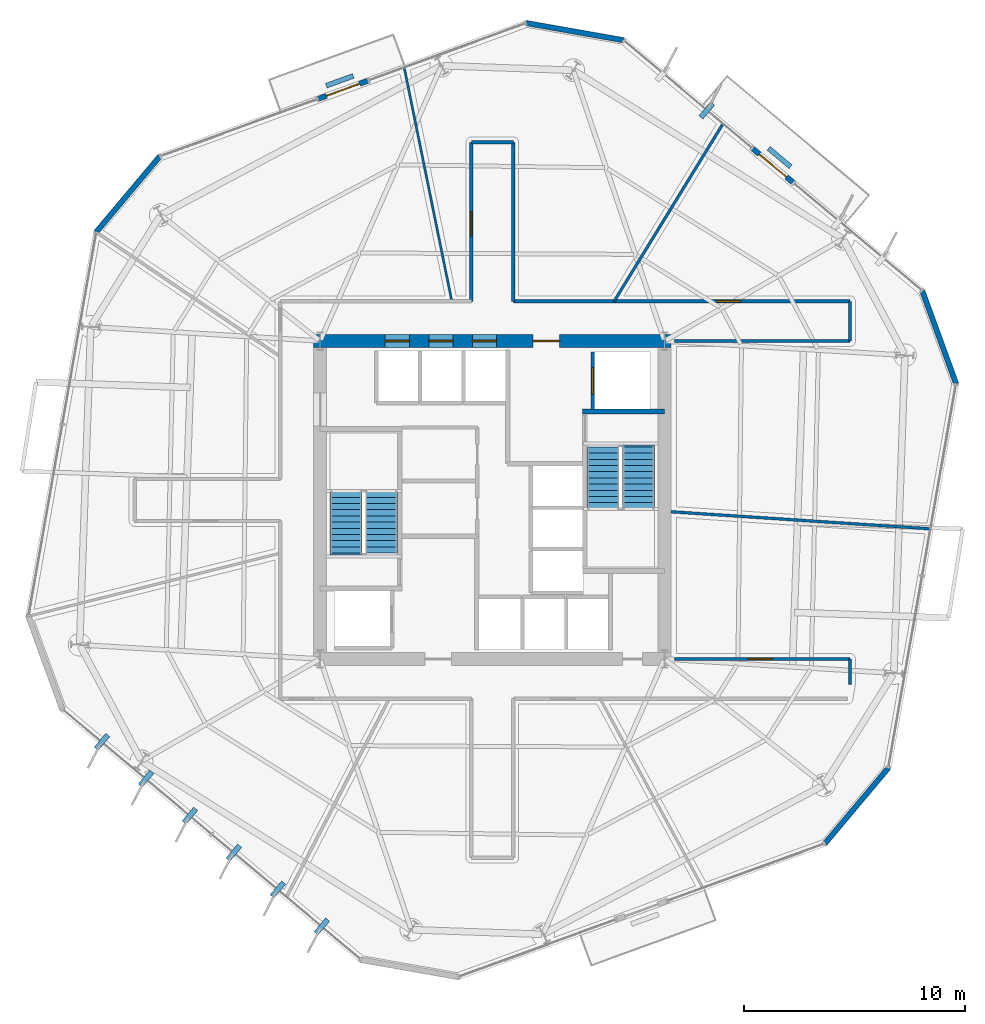
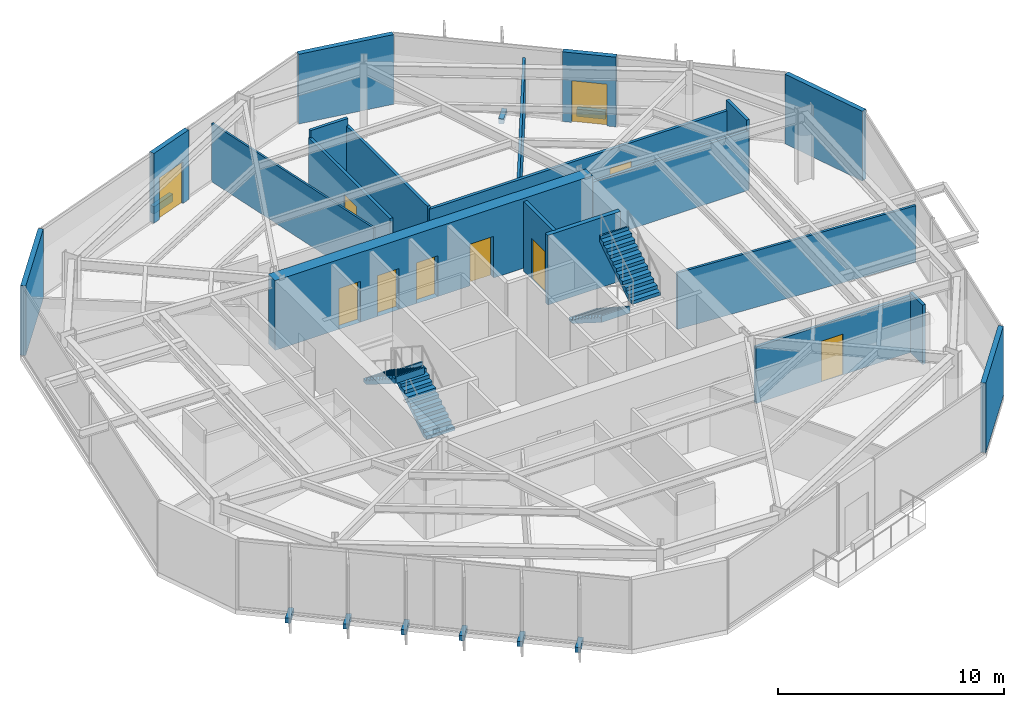
# One storey, part 8 of 13: 22 walls, 10 doors, 7 discrete accessories, 4 stair flights, 10 openings, 2 elements without a shape of their own.
"""IFC4 building model written with IfcOpenShell, lengths in metres."""

from ifc_helpers import new_model, si_unit, direction, frame, frame_2d, origin, origin_2d, place, context, subcontext, project, spatial, polyline, rectangle, outline, extrude, material, layer, layer_set, type_object, element, fill, aggregate, save


model = new_model("IFC4")

# Units and contexts
model_context = context("Model", 3, precision=1e-05, world=origin(), true_north=direction((0.0, 1.0)))
body_context = subcontext(model_context, "Body", "Model", "MODEL_VIEW")
ifc_project = project(units=[si_unit("LENGTHUNIT", "METRE"), si_unit("AREAUNIT", "SQUARE_METRE"), si_unit("VOLUMEUNIT", "CUBIC_METRE"), si_unit("PLANEANGLEUNIT", "RADIAN"), si_unit("MASSUNIT", "GRAM", prefix="KILO")], contexts=[model_context])

# Site, building, storey
site_placement = place(None, origin())
site = spatial("IfcSite", under=ifc_project, at=site_placement, CompositionType="ELEMENT")
building_placement = place(site_placement, origin())
building = spatial("IfcBuilding", under=site, at=building_placement, Name="Kranzbogen Civic Tower", CompositionType="ELEMENT")
storey_placement = place(building_placement, frame((0.0, 0.0, 102.39990234375)))
storey = spatial("IfcBuildingStorey", under=building, at=storey_placement, Name="L24", CompositionType="ELEMENT", Elevation=102.39990234375)

# Wall, opening, door
ifc_material_1 = material(Name="Double-Stud Acoustic Gypsum Partition")
ifc_layer_1 = layer(ifc_material_1, 0.14990234375, Name="Double-Stud Acoustic Gypsum Partition")
ifc_layer_set_1 = layer_set([ifc_layer_1], Name="Double-Stud Acoustic Gypsum Partition")
wall_type_1 = type_object("IfcWallType", Name="Acoustic Corridor and Clinical Partition 150 mm", PredefinedType="PARTITIONING", material=ifc_layer_set_1)
wall_1_placement = place(storey_placement, frame((24.050048828125, 34.0, 0.0), z_axis=(0.0, 0.0, 1.0), x_axis=(0.0, 1.0, 0.0)))
wall_1 = element("IfcWall", 1, at=wall_1_placement, inside=storey, type_object=wall_type_1, Name="L24 corridor partition 11", PredefinedType="PARTITIONING", context=body_context, shape_type="SweptSolid", body=[
    extrude(rectangle(XDim=7.199951171875, YDim=0.14990234375, at=frame_2d((3.60009765625, 0.0))), origin(), (0.0, 0.0, 1.0), 3.360107421875),
])
opening_1_placement = place(wall_1_placement, frame((2.9619140625, 0.0, 0.0)))
opening_1 = element("IfcOpeningElement", 2, at=opening_1_placement, cuts=wall_1, Name="Opening D-COR60", PredefinedType="OPENING", context=body_context, shape_type="SweptSolid", body=[
    extrude(rectangle(XDim=1.10009765625, YDim=2.199951171875, at=frame_2d((0.550048828125, 1.10009765625))), frame((0.0, 0.0849609375, 0.0), z_axis=(0.0, -1.0, 0.0), x_axis=(1.0, 0.0, 0.0)), (0.0, 0.0, 1.0), 0.169921875),
])
ifc_material_2 = material(Name="Oak Timber and Fire Core", Category="wood")
door_type_1 = type_object("IfcDoorType", Name="Corridor Acoustic Fire Door 1100x2200", OperationType="NOTDEFINED", PredefinedType="DOOR", material=ifc_material_2)
door_1_placement = place(opening_1_placement, origin())
door_1 = element("IfcDoor", 3, at=door_1_placement, inside=storey, type_object=door_type_1, Name="L24 Urban Design Workshop door", OperationType="SINGLE_SWING_LEFT", OverallHeight=2.199951171875, OverallWidth=1.10009765625, PredefinedType="DOOR", context=body_context, shape_type="SweptSolid", body=[
    extrude(rectangle(XDim=1.10009765625, YDim=2.199951171875, at=frame_2d((0.550048828125, 1.10009765625))), frame((0.0, 0.02490234375, 0.0), z_axis=(0.0, -1.0, 0.0), x_axis=(1.0, 0.0, 0.0)), (0.0, 0.0, 1.0), 0.050048828125),
])
fill(opening_1, door_1)

# Walls
wall_2_placement = place(storey_placement, frame((24.050048828125, 41.199951171875, 0.0), z_axis=(0.0, 0.0, 1.0), x_axis=(1.0, 0.0, 0.0)))
element("IfcWall", 4, at=wall_2_placement, inside=storey, type_object=wall_type_1, Name="L24 corridor partition 12", PredefinedType="PARTITIONING", context=body_context, shape_type="SweptSolid", body=[
    extrude(rectangle(XDim=1.89990234375, YDim=0.14990234375, at=frame_2d((0.949951171875, 0.0))), origin(), (0.0, 0.0, 1.0), 3.760009765625),
])
wall_3_placement = place(storey_placement, frame((25.949951171875, 41.199951171875, 0.0), z_axis=(0.0, 0.0, 1.0), x_axis=(0.0, -1.0, 0.0)))
element("IfcWall", 5, at=wall_3_placement, inside=storey, type_object=wall_type_1, Name="L24 corridor partition 13", PredefinedType="PARTITIONING", context=body_context, shape_type="SweptSolid", body=[
    extrude(rectangle(XDim=7.199951171875, YDim=0.14990234375, at=frame_2d((3.60009765625, 0.0))), origin(), (0.0, 0.0, 1.0), 3.360107421875),
])

# Wall, opening, door
wall_4_placement = place(storey_placement, frame((25.949951171875, 34.0, 0.0), z_axis=(0.0, 0.0, 1.0), x_axis=(1.0, 0.0, 0.0)))
wall_4 = element("IfcWall", 6, at=wall_4_placement, inside=storey, type_object=wall_type_1, Name="L24 corridor partition 14", PredefinedType="PARTITIONING", context=body_context, shape_type="SweptSolid", body=[
    extrude(rectangle(XDim=15.25, YDim=0.14990234375, at=frame_2d((7.625, 0.0))), origin(), (0.0, 0.0, 1.0), 3.210205078125),
])
opening_2_placement = place(wall_4_placement, frame((9.200927734375, 0.0, 0.0)))
opening_2 = element("IfcOpeningElement", 7, at=opening_2_placement, cuts=wall_4, Name="Opening D-COR60", PredefinedType="OPENING", context=body_context, shape_type="SweptSolid", body=[
    extrude(rectangle(XDim=1.10009765625, YDim=2.199951171875, at=frame_2d((0.550048828125, 1.10009765625))), frame((0.0, 0.0849609375, 0.0), z_axis=(0.0, -1.0, 0.0), x_axis=(1.0, 0.0, 0.0)), (0.0, 0.0, 1.0), 0.169921875),
])
door_2_placement = place(opening_2_placement, origin())
door_2 = element("IfcDoor", 8, at=door_2_placement, inside=storey, type_object=door_type_1, Name="L24 Policy Seminar Room door", OperationType="SINGLE_SWING_LEFT", OverallHeight=2.199951171875, OverallWidth=1.10009765625, PredefinedType="DOOR", context=body_context, shape_type="SweptSolid", body=[
    extrude(rectangle(XDim=1.10009765625, YDim=2.199951171875, at=frame_2d((0.550048828125, 1.10009765625))), frame((0.0, 0.02490234375, 0.0), z_axis=(0.0, -1.0, 0.0), x_axis=(1.0, 0.0, 0.0)), (0.0, 0.0, 1.0), 0.050048828125),
])
fill(opening_2, door_2)

# Walls
wall_5_placement = place(storey_placement, frame((41.199951171875, 34.0, 0.0), z_axis=(0.0, 0.0, 1.0), x_axis=(0.0, -1.0, 0.0)))
element("IfcWall", 9, at=wall_5_placement, inside=storey, type_object=wall_type_1, Name="L24 corridor partition 15", PredefinedType="PARTITIONING", context=body_context, shape_type="SweptSolid", body=[
    extrude(rectangle(XDim=1.800048828125, YDim=0.14990234375, at=frame_2d((0.89990234375, 0.0))), origin(), (0.0, 0.0, 1.0), 3.760009765625),
])
wall_6_placement = place(storey_placement, frame((41.199951171875, 32.199951171875, 0.0), z_axis=(0.0, 0.0, 1.0), x_axis=(-1.0, 0.0, 0.0)))
element("IfcWall", 10, at=wall_6_placement, inside=storey, type_object=wall_type_1, Name="L24 corridor partition 16", PredefinedType="PARTITIONING", context=body_context, shape_type="SweptSolid", body=[
    extrude(rectangle(XDim=7.952880859375, YDim=0.14990234375, at=frame_2d((3.9765625, 0.0))), origin(), (0.0, 0.0, 1.0), 3.210205078125),
])

# Wall, opening, door
wall_7_placement = place(storey_placement, frame((33.2470703125, 17.800048828125, 0.0), z_axis=(0.0, 0.0, 1.0), x_axis=(1.0, 0.0, 0.0)))
wall_7 = element("IfcWall", 11, at=wall_7_placement, inside=storey, type_object=wall_type_1, Name="L24 corridor partition 17", PredefinedType="PARTITIONING", context=body_context, shape_type="SweptSolid", body=[
    extrude(rectangle(XDim=7.952880859375, YDim=0.14990234375, at=frame_2d((3.9765625, 0.0))), origin(), (0.0, 0.0, 1.0), 3.050048828125),
])
opening_3_placement = place(wall_7_placement, frame((3.337890625, 0.0, 0.0)))
opening_3 = element("IfcOpeningElement", 12, at=opening_3_placement, cuts=wall_7, Name="Opening D-COR60", PredefinedType="OPENING", context=body_context, shape_type="SweptSolid", body=[
    extrude(rectangle(XDim=1.10009765625, YDim=2.199951171875, at=frame_2d((0.550048828125, 1.10009765625))), frame((0.0, 0.0849609375, 0.0), z_axis=(0.0, -1.0, 0.0), x_axis=(1.0, 0.0, 0.0)), (0.0, 0.0, 1.0), 0.169921875),
])
door_3_placement = place(opening_3_placement, origin())
door_3 = element("IfcDoor", 13, at=door_3_placement, inside=storey, type_object=door_type_1, Name="L24 Civic Reference Library door", OperationType="SINGLE_SWING_RIGHT", OverallHeight=2.199951171875, OverallWidth=1.10009765625, PredefinedType="DOOR", context=body_context, shape_type="SweptSolid", body=[
    extrude(rectangle(XDim=1.10009765625, YDim=2.199951171875, at=frame_2d((0.550048828125, 1.10009765625))), frame((0.0, 0.02490234375, 0.0), z_axis=(0.0, -1.0, 0.0), x_axis=(1.0, 0.0, 0.0)), (0.0, 0.0, 1.0), 0.050048828125),
])
fill(opening_3, door_3)

# Walls
wall_8_placement = place(storey_placement, frame((41.199951171875, 17.800048828125, 0.0), z_axis=(0.0, 0.0, 1.0), x_axis=(0.0, -1.0, 0.0)))
element("IfcWall", 14, at=wall_8_placement, inside=storey, type_object=wall_type_1, Name="L24 corridor partition 18", PredefinedType="PARTITIONING", context=body_context, shape_type="SweptSolid", body=[
    extrude(rectangle(XDim=1.157958984375, YDim=0.14990234375, at=frame_2d((0.5791015625, 0.0))), origin(), (0.0, 0.0, 1.0), 3.210205078125),
])
ifc_material_3 = material(Name="Insulated Metal-Stud Gypsum Partition")
ifc_layer_2 = layer(ifc_material_3, 0.125, Name="Insulated Metal-Stud Gypsum Partition")
ifc_layer_set_2 = layer_set([ifc_layer_2], Name="Insulated Metal-Stud Gypsum Partition")
wall_type_2 = type_object("IfcWallType", Name="Acoustic Inter-Room Partition 125 mm", PredefinedType="PARTITIONING", material=ifc_layer_set_2)
wall_9_placement = place(storey_placement, frame((30.51806640625, 34.0, 0.0), z_axis=(0.0, 0.0, 1.0), x_axis=(0.522673308886, 0.852533056355, 0.0)))
element("IfcWall", 15, at=wall_9_placement, inside=storey, type_object=wall_type_2, Name="L24 radial room partition 01", PredefinedType="PARTITIONING", context=body_context, shape_type="SweptSolid", body=[
    extrude(rectangle(XDim=9.416748046875, YDim=0.125, at=frame_2d((4.70849609375, 0.0))), origin(), (0.0, 0.0, 1.0), 3.16015625),
])
wall_10_placement = place(storey_placement, frame((33.10009765625, 24.467041015625, 0.0), z_axis=(0.0, 0.0, 1.0), x_axis=(0.997841404392, -0.06566986889, 0.0)))
element("IfcWall", 16, at=wall_10_placement, inside=storey, type_object=wall_type_2, Name="L24 radial room partition 07", PredefinedType="PARTITIONING", context=body_context, shape_type="SweptSolid", body=[
    extrude(rectangle(XDim=11.75537109375, YDim=0.125, at=frame_2d((5.877685546875, 0.0))), origin(), (0.0, 0.0, 1.0), 3.050048828125),
])
ifc_material_4 = material(Name="Architectural Precast Terracotta Concrete C40/50", Category="masonry")
ifc_layer_3 = layer(ifc_material_4, 0.219970703125, Name="Architectural Precast Terracotta Concrete C40/50")
ifc_layer_set_3 = layer_set([ifc_layer_3], Name="Architectural Precast Terracotta Concrete C40/50")
wall_type_3 = type_object("IfcWallType", Name="Architectural Tree Planter Kerb Wall 220 mm", PredefinedType="USERDEFINED", material=ifc_layer_set_3)
wall_11_placement = place(storey_placement, frame((18.700927734375, 44.2080078125, 0.0), z_axis=(0.0, 0.0, 1.0), x_axis=(-0.93985371871, -0.341577205661, 0.0)))
element("IfcWall", 17, at=wall_11_placement, inside=storey, type_object=wall_type_3, Name="L24 landscaped tree balcony planter L24-TB2", ObjectType="PLANTER_WALL", PredefinedType="USERDEFINED", context=body_context, shape_type="SweptSolid", body=[
    extrude(rectangle(XDim=1.300048828125, YDim=0.219970703125, at=frame_2d((0.64990234375, 0.0))), origin(), (0.0, 0.0, 1.0), 0.400146484375),
])
wall_12_placement = place(storey_placement, frame((38.511962890625, 40.092041015625, 0.0), z_axis=(0.0, 0.0, 1.0), x_axis=(-0.765923066334, 0.642932233177, 0.0)))
element("IfcWall", 18, at=wall_12_placement, inside=storey, type_object=wall_type_3, Name="L24 landscaped tree balcony planter L24-ST", ObjectType="PLANTER_WALL", PredefinedType="USERDEFINED", context=body_context, shape_type="SweptSolid", body=[
    extrude(rectangle(XDim=1.30029296875, YDim=0.219970703125, at=frame_2d((0.650146484375, 0.0))), origin(), (0.0, 0.0, 1.0), 0.400146484375),
])

# Wall, openings, doors
ifc_material_5 = material(Name="Concrete C55/67", Category="concrete")
ifc_layer_4 = layer(ifc_material_5, 0.60009765625, Name="Concrete C55/67")
ifc_layer_set_4 = layer_set([ifc_layer_4], Name="Concrete C55/67")
wall_type_4 = type_object("IfcWallType", Name="Central Core Shear Wall 600 mm", PredefinedType="SHEAR", material=ifc_layer_set_4)
wall_13_placement = place(storey_placement, frame((33.10009765625, 32.199951171875, 0.0), z_axis=(0.0, 0.0, 1.0), x_axis=(-1.0, 0.0, 0.0)))
wall_13 = element("IfcWall", 19, at=wall_13_placement, inside=storey, type_object=wall_type_4, Name="L24 central core North shear wall", PredefinedType="SHEAR", context=body_context, shape_type="SweptSolid", body=[
    extrude(rectangle(XDim=16.2001953125, YDim=0.60009765625, at=frame_2d((8.10009765625, 0.0))), origin(), (0.0, 0.0, 1.0), 3.760009765625),
])
opening_4_placement = place(wall_13_placement, frame((5.050048828125, 0.0, 0.0)))
opening_4 = element("IfcOpeningElement", 20, at=opening_4_placement, cuts=wall_13, Name="Opening D-EX120", PredefinedType="OPENING", context=body_context, shape_type="SweptSolid", body=[
    extrude(rectangle(XDim=1.199951171875, YDim=2.25, at=frame_2d((0.60009765625, 1.125))), frame((0.0, 0.31005859375, 0.0), z_axis=(0.0, -1.0, 0.0), x_axis=(1.0, 0.0, 0.0)), (0.0, 0.0, 1.0), 0.6201171875),
])
opening_5_placement = place(wall_13_placement, frame((11.85009765625, 0.0, 0.0)))
opening_5 = element("IfcOpeningElement", 21, at=opening_5_placement, cuts=wall_13, Name="Opening LD-MP-01", PredefinedType="OPENING", context=body_context, shape_type="SweptSolid", body=[
    extrude(rectangle(XDim=1.10009765625, YDim=2.199951171875, at=frame_2d((0.550048828125, 1.10009765625))), frame((0.0, 0.31005859375, 0.0), z_axis=(0.0, -1.0, 0.0), x_axis=(1.0, 0.0, 0.0)), (0.0, 0.0, 1.0), 0.6201171875),
])
opening_6_placement = place(wall_13_placement, frame((9.875, 0.0, 0.0)))
opening_6 = element("IfcOpeningElement", 22, at=opening_6_placement, cuts=wall_13, Name="Opening LD-MP-02", PredefinedType="OPENING", context=body_context, shape_type="SweptSolid", body=[
    extrude(rectangle(XDim=1.10009765625, YDim=2.199951171875, at=frame_2d((0.550048828125, 1.10009765625))), frame((0.0, 0.31005859375, 0.0), z_axis=(0.0, -1.0, 0.0), x_axis=(1.0, 0.0, 0.0)), (0.0, 0.0, 1.0), 0.6201171875),
])
opening_7_placement = place(wall_13_placement, frame((7.89990234375, 0.0, 0.0)))
opening_7 = element("IfcOpeningElement", 23, at=opening_7_placement, cuts=wall_13, Name="Opening LD-MP-03", PredefinedType="OPENING", context=body_context, shape_type="SweptSolid", body=[
    extrude(rectangle(XDim=1.10009765625, YDim=2.199951171875, at=frame_2d((0.550048828125, 1.10009765625))), frame((0.0, 0.31005859375, 0.0), z_axis=(0.0, -1.0, 0.0), x_axis=(1.0, 0.0, 0.0)), (0.0, 0.0, 1.0), 0.6201171875),
])
ifc_material_6 = material(Name="Steel S355", Category="steel")
door_type_2 = type_object("IfcDoorType", Name="Exit Passageway Fire Door 1200x2250", OperationType="NOTDEFINED", PredefinedType="DOOR", material=ifc_material_6)
door_4_placement = place(opening_4_placement, origin())
door_4 = element("IfcDoor", 24, at=door_4_placement, inside=storey, type_object=door_type_2, Name="L24 East firefighting lobby corridor door", OperationType="SINGLE_SWING_LEFT", OverallHeight=2.25, OverallWidth=1.199951171875, PredefinedType="DOOR", context=body_context, shape_type="SweptSolid", body=[
    extrude(rectangle(XDim=1.199951171875, YDim=2.25, at=frame_2d((0.60009765625, 1.125))), frame((0.0, 0.02490234375, 0.0), z_axis=(0.0, -1.0, 0.0), x_axis=(1.0, 0.0, 0.0)), (0.0, 0.0, 1.0), 0.050048828125),
])
fill(opening_4, door_4)
ifc_material_7 = material(Name="Pale Anodised Aluminium", Category="aluminium")
door_type_3 = type_object("IfcDoorType", Name="Passenger Lift Sliding Landing Door 1100x2200", OperationType="DOUBLE_DOOR_SLIDING", PredefinedType="DOOR", material=ifc_material_7)
door_5_placement = place(opening_5_placement, origin())
door_5 = element("IfcDoor", 25, at=door_5_placement, inside=storey, type_object=door_type_3, Name="L24 lift MP-01 sliding landing door", OperationType="DOUBLE_DOOR_SLIDING", OverallHeight=2.199951171875, OverallWidth=1.10009765625, PredefinedType="DOOR", context=body_context, shape_type="SweptSolid", body=[
    extrude(rectangle(XDim=1.10009765625, YDim=2.199951171875, at=frame_2d((0.550048828125, 1.10009765625))), frame((0.0, 0.02490234375, 0.0), z_axis=(0.0, -1.0, 0.0), x_axis=(1.0, 0.0, 0.0)), (0.0, 0.0, 1.0), 0.050048828125),
])
fill(opening_5, door_5)
door_6_placement = place(opening_6_placement, origin())
door_6 = element("IfcDoor", 26, at=door_6_placement, inside=storey, type_object=door_type_3, Name="L24 lift MP-02 sliding landing door", OperationType="DOUBLE_DOOR_SLIDING", OverallHeight=2.199951171875, OverallWidth=1.10009765625, PredefinedType="DOOR", context=body_context, shape_type="SweptSolid", body=[
    extrude(rectangle(XDim=1.10009765625, YDim=2.199951171875, at=frame_2d((0.550048828125, 1.10009765625))), frame((0.0, 0.02490234375, 0.0), z_axis=(0.0, -1.0, 0.0), x_axis=(1.0, 0.0, 0.0)), (0.0, 0.0, 1.0), 0.050048828125),
])
fill(opening_6, door_6)
door_7_placement = place(opening_7_placement, origin())
door_7 = element("IfcDoor", 27, at=door_7_placement, inside=storey, type_object=door_type_3, Name="L24 lift MP-03 sliding landing door", OperationType="DOUBLE_DOOR_SLIDING", OverallHeight=2.199951171875, OverallWidth=1.10009765625, PredefinedType="DOOR", context=body_context, shape_type="SweptSolid", body=[
    extrude(rectangle(XDim=1.10009765625, YDim=2.199951171875, at=frame_2d((0.550048828125, 1.10009765625))), frame((0.0, 0.02490234375, 0.0), z_axis=(0.0, -1.0, 0.0), x_axis=(1.0, 0.0, 0.0)), (0.0, 0.0, 1.0), 0.050048828125),
])
fill(opening_7, door_7)

# Walls
ifc_material_8 = material(Name="Concrete C45/55", Category="concrete")
ifc_layer_5 = layer(ifc_material_8, 0.219970703125, Name="Concrete C45/55")
ifc_layer_set_5 = layer_set([ifc_layer_5], Name="Concrete C45/55")
wall_type_5 = type_object("IfcWallType", Name="Core Internal Stair Structural Wall 220 mm", PredefinedType="SOLIDWALL", material=ifc_layer_set_5)
wall_14_placement = place(storey_placement, frame((29.080078125, 29.010009765625, 0.0), z_axis=(0.0, 0.0, 1.0), x_axis=(1.0, 0.0, 0.0)))
element("IfcWall", 28, at=wall_14_placement, inside=storey, type_object=wall_type_5, Name="L24 ST-T2 North structural stair wall", PredefinedType="SOLIDWALL", context=body_context, shape_type="SweptSolid", body=[
    extrude(rectangle(XDim=3.719970703125, YDim=0.219970703125, at=frame_2d((1.85986328125, 0.0))), origin(), (0.0, 0.0, 1.0), 3.760009765625),
])
ifc_material_9 = material(Name="Demountable Aluminium and Gypsum Partition", Category="aluminium")
ifc_layer_6 = layer(ifc_material_9, 0.10009765625, Name="Demountable Aluminium and Gypsum Partition")
ifc_layer_set_6 = layer_set([ifc_layer_6], Name="Demountable Aluminium and Gypsum Partition")
wall_type_6 = type_object("IfcWallType", Name="Demountable Office Partition 100 mm", PredefinedType="MOVABLE", material=ifc_layer_set_6)
wall_15_placement = place(storey_placement, frame((23.1669921875, 34.0, 0.0), z_axis=(0.0, 0.0, 1.0), x_axis=(-0.199561430281, 0.979885317547, 0.0)))
element("IfcWall", 29, at=wall_15_placement, inside=storey, type_object=wall_type_6, Name="L24 radial room partition 02", PredefinedType="MOVABLE", context=body_context, shape_type="SweptSolid", body=[
    extrude(rectangle(XDim=10.7890625, YDim=0.10009765625, at=frame_2d((5.39453125, 0.0))), origin(), (0.0, 0.0, 1.0), 3.16015625),
])

# Wall, opening, door
ifc_material_10 = material(Name="Gypsum Fireboard Shaftliner")
ifc_layer_7 = layer(ifc_material_10, 0.175048828125, Name="Gypsum Fireboard Shaftliner")
ifc_layer_set_7 = layer_set([ifc_layer_7], Name="Gypsum Fireboard Shaftliner")
wall_type_7 = type_object("IfcWallType", Name="Fire-Rated Lift and Service Shaft Wall 175 mm", PredefinedType="PARTITIONING", material=ifc_layer_set_7)
wall_16_placement = place(storey_placement, frame((29.550048828125, 29.10009765625, 0.0), z_axis=(0.0, 0.0, 1.0), x_axis=(0.0, 1.0, 0.0)))
wall_16 = element("IfcWall", 30, at=wall_16_placement, inside=storey, type_object=wall_type_7, Name="L24 lift FF-02 landing wall", PredefinedType="PARTITIONING", context=body_context, shape_type="SweptSolid", body=[
    extrude(rectangle(XDim=2.599853515625, YDim=0.175048828125, at=frame_2d((1.2998046875, 0.0))), origin(), (0.0, 0.0, 1.0), 3.760009765625),
])
opening_8_placement = place(wall_16_placement, frame((0.699951171875, 0.0, 0.0)))
opening_8 = element("IfcOpeningElement", 31, at=opening_8_placement, cuts=wall_16, Name="Opening LD-FF-02", PredefinedType="OPENING", context=body_context, shape_type="SweptSolid", body=[
    extrude(rectangle(XDim=1.199951171875, YDim=2.199951171875, at=frame_2d((0.60009765625, 1.10009765625))), frame((0.0, 0.09765625, 0.0), z_axis=(0.0, -1.0, 0.0), x_axis=(1.0, 0.0, 0.0)), (0.0, 0.0, 1.0), 0.195068359375),
])
door_type_4 = type_object("IfcDoorType", Name="Firefighting and Stretcher Lift Sliding Landing Door 1200x2200", OperationType="DOUBLE_DOOR_SLIDING", PredefinedType="DOOR", material=ifc_material_7)
door_8_placement = place(opening_8_placement, origin())
door_8 = element("IfcDoor", 32, at=door_8_placement, inside=storey, type_object=door_type_4, Name="L24 lift FF-02 sliding landing door", OperationType="DOUBLE_DOOR_SLIDING", OverallHeight=2.199951171875, OverallWidth=1.199951171875, PredefinedType="DOOR", context=body_context, shape_type="SweptSolid", body=[
    extrude(rectangle(XDim=1.199951171875, YDim=2.199951171875, at=frame_2d((0.60009765625, 1.10009765625))), frame((0.0, 0.02490234375, 0.0), z_axis=(0.0, -1.0, 0.0), x_axis=(1.0, 0.0, 0.0)), (0.0, 0.0, 1.0), 0.050048828125),
])
fill(opening_8, door_8)

ifc_layer_8 = layer(ifc_material_7, 0.239990234375, Name="Pale Anodised Aluminium")
ifc_layer_set_8 = layer_set([ifc_layer_8], Name="Pale Anodised Aluminium")
wall_type_8 = type_object("IfcWallType", Name="Insulated Aluminium Facade Portal Wall 240 mm", PredefinedType="STANDARD", material=ifc_layer_set_8)
wall_17_placement = place(storey_placement, frame((38.6279296875, 39.375, 0.0), z_axis=(0.0, 0.0, 1.0), x_axis=(-0.766049372112, 0.642781735495, 0.0)))
wall_17 = element("IfcWall", 33, at=wall_17_placement, inside=storey, type_object=wall_type_8, Name="L24 exterior entrance portal wall 1", PredefinedType="STANDARD", context=body_context, shape_type="SweptSolid", body=[
    extrude(rectangle(XDim=2.400390625, YDim=0.239990234375, at=frame_2d((1.2001953125, 0.0))), origin(), (0.0, 0.0, 1.0), 3.760009765625),
])
opening_9_placement = place(wall_17_placement, frame((0.39990234375, 0.0, 0.0)))
opening_9 = element("IfcOpeningElement", 34, at=opening_9_placement, cuts=wall_17, Name="Opening D-TER", PredefinedType="OPENING", context=body_context, shape_type="SweptSolid", body=[
    extrude(rectangle(XDim=1.60009765625, YDim=2.25, at=frame_2d((0.800048828125, 1.125))), frame((0.0, 0.1298828125, 0.0), z_axis=(0.0, -1.0, 0.0), x_axis=(1.0, 0.0, 0.0)), (0.0, 0.0, 1.0), 0.260009765625),
])
ifc_material_11 = material(Name="Anodised Bronze and Triple Glass", Category="glass")
door_type_5 = type_object("IfcDoorType", Name="Glazed Terrace and Balcony Double Door 1600x2250", OperationType="DOUBLE_DOOR_SINGLE_SWING", PredefinedType="DOOR", material=ifc_material_11)
door_9_placement = place(opening_9_placement, frame((1.60009765625, 0.0, 0.0), z_axis=(0.0, 0.0, 1.0), x_axis=(-1.0, 0.0, 0.0)))
door_9 = element("IfcDoor", 35, at=door_9_placement, inside=storey, type_object=door_type_5, Name="L24 spiral terrace access door L24-ST", OperationType="DOUBLE_DOOR_SINGLE_SWING", OverallHeight=2.25, OverallWidth=1.60009765625, PredefinedType="DOOR", context=body_context, shape_type="SweptSolid", body=[
    extrude(rectangle(XDim=1.60009765625, YDim=2.25, at=frame_2d((0.800048828125, 1.125))), frame((0.0, 0.02490234375, 0.0), z_axis=(0.0, -1.0, 0.0), x_axis=(1.0, 0.0, 0.0)), (0.0, 0.0, 1.0), 0.050048828125),
])
fill(opening_9, door_9)

# Wall
wall_18_placement = place(storey_placement, frame((30.94189453125, 45.823974609375, 0.0), z_axis=(0.0, 0.0, 1.0), x_axis=(-0.984778610825, 0.173813370204, 0.0)))
element("IfcWall", 36, at=wall_18_placement, inside=storey, type_object=wall_type_8, Name="L24 chamfered corner facade spandrel 1", PredefinedType="STANDARD", context=body_context, shape_type="SweptSolid", body=[
    extrude(rectangle(XDim=4.470947265625, YDim=0.239990234375, at=frame_2d((2.2353515625, 0.0))), origin(), (0.0, 0.0, 1.0), 3.760009765625),
])

# Wall, opening, door
wall_19_placement = place(storey_placement, frame((19.364990234375, 43.989990234375, 0.0), z_axis=(0.0, 0.0, 1.0), x_axis=(-0.939647786753, -0.342143298706, 0.0)))
wall_19 = element("IfcWall", 37, at=wall_19_placement, inside=storey, type_object=wall_type_8, Name="L24 exterior entrance portal wall 1", PredefinedType="STANDARD", context=body_context, shape_type="SweptSolid", body=[
    extrude(rectangle(XDim=2.399658203125, YDim=0.239990234375, at=frame_2d((1.19970703125, 0.0))), origin(), (0.0, 0.0, 1.0), 3.760009765625),
])
opening_10_placement = place(wall_19_placement, frame((0.39990234375, 0.0, 0.0)))
opening_10 = element("IfcOpeningElement", 38, at=opening_10_placement, cuts=wall_19, Name="Opening D-TER", PredefinedType="OPENING", context=body_context, shape_type="SweptSolid", body=[
    extrude(rectangle(XDim=1.60009765625, YDim=2.25, at=frame_2d((0.800048828125, 1.125))), frame((0.0, 0.1298828125, 0.0), z_axis=(0.0, -1.0, 0.0), x_axis=(1.0, 0.0, 0.0)), (0.0, 0.0, 1.0), 0.260009765625),
])
door_10_placement = place(opening_10_placement, frame((1.60009765625, 0.0, 0.0), z_axis=(0.0, 0.0, 1.0), x_axis=(-1.0, 0.0, 0.0)))
door_10 = element("IfcDoor", 39, at=door_10_placement, inside=storey, type_object=door_type_5, Name="L24 tree balcony access door L24-TB2", OperationType="DOUBLE_DOOR_SINGLE_SWING", OverallHeight=2.25, OverallWidth=1.60009765625, PredefinedType="DOOR", context=body_context, shape_type="SweptSolid", body=[
    extrude(rectangle(XDim=1.60009765625, YDim=2.25, at=frame_2d((0.800048828125, 1.125))), frame((0.0, 0.02490234375, 0.0), z_axis=(0.0, -1.0, 0.0), x_axis=(1.0, 0.0, 0.0)), (0.0, 0.0, 1.0), 0.050048828125),
])
fill(opening_10, door_10)

# Walls
for number, where, z_axis, x_axis, name in (
    (40, (9.93603515625, 40.55810546875, 0.0), (0.0, 0.0, 1.0), (-0.642903862685, -0.765946880237, 0.0), "L24 chamfered corner facade spandrel 2"),
    (41, (40.06396484375, 9.44189453125, 0.0), (0.0, 0.0, 1.0), (0.642903862685, 0.765946880237, 0.0), "L24 chamfered corner facade spandrel 5"),
    (42, (46.006103515625, 30.26708984375, 0.0), (0.0, 0.0, 1.0), (-0.342028060457, 0.939689739148, 0.0), "L24 chamfered corner facade spandrel 6"),
):
    element("IfcWall", number, at=place(storey_placement, frame(where, z_axis=z_axis, x_axis=x_axis)), inside=storey, type_object=wall_type_8, Name=name, PredefinedType="STANDARD", context=body_context, shape_type="SweptSolid", body=[
        extrude(rectangle(XDim=4.470458984375, YDim=0.239990234375, at=frame_2d((2.2353515625, 0.0))), origin(), (0.0, 0.0, 1.0), 3.760009765625),
    ])

# Stair, stair flights
ifc_material_12 = material(Name="Precast concrete C40/50", Category="concrete")
stair_type_1 = type_object("IfcStairType", Name="Tower Core Pressurized Dogleg Stair 1450", PredefinedType="HALF_TURN_STAIR", material=ifc_material_12)
stair_1_placement = place(storey_placement, origin())
stair_1 = element("IfcStair", 43, at=stair_1_placement, inside=storey, type_object=stair_type_1, Name="L24 Tower Core Pressurized Stair 1", PredefinedType="HALF_TURN_STAIR")
stair_flight_type = type_object("IfcStairFlightType", Name="Precast Concrete Stair Flight R180", PredefinedType="STRAIGHT", material=ifc_material_12)
stair_flight_1_placement = place(storey_placement, frame((19.97509765625, 22.60009765625, 0.0), z_axis=(0.0, 0.0, 1.0), x_axis=(0.0, 1.0, 0.0)))
stair_flight_1 = element("IfcStairFlight", 44, at=stair_flight_1_placement, type_object=stair_flight_type, Name="ST-T1 flight 1", NumberOfRisers=11, NumberOfTreads=10, PredefinedType="STRAIGHT", RiserHeight=0.181818182, TreadLength=0.28, context=body_context, shape_type="SweptSolid", body=[
    extrude(outline(polyline([(0.0, 0.0), (0.0, 0.181884765625), (0.280029296875, 0.181884765625), (0.280029296875, 0.363525390625), (0.56005859375, 0.363525390625), (0.56005859375, 0.54541015625), (0.840087890625, 0.54541015625), (0.840087890625, 0.727294921875), (1.1201171875, 0.727294921875), (1.1201171875, 0.9091796875), (1.39990234375, 0.9091796875), (1.39990234375, 1.0908203125), (1.679931640625, 1.0908203125), (1.679931640625, 1.272705078125), (1.9599609375, 1.272705078125), (1.9599609375, 1.45458984375), (2.239990234375, 1.45458984375), (2.239990234375, 1.636474609375), (2.52001953125, 1.636474609375), (2.52001953125, 1.818115234375), (2.800048828125, 1.818115234375), (2.800048828125, 2.0), (2.880126953125, 2.0), (2.880126953125, 1.639404296875), (0.275146484375, 0.0), (0.0, 0.0)])), frame((0.0, 0.72509765625, 0.0), z_axis=(0.0, -1.0, 0.0), x_axis=(1.0, 0.0, 0.0)), (0.0, 0.0, 1.0), 1.449951171875),
])
stair_flight_2_placement = place(storey_placement, frame((18.375, 25.39990234375, 2.0), z_axis=(0.0, 0.0, 1.0), x_axis=(0.0, -1.0, 0.0)))
stair_flight_2 = element("IfcStairFlight", 45, at=stair_flight_2_placement, type_object=stair_flight_type, Name="ST-T1 flight 2", NumberOfRisers=11, NumberOfTreads=10, PredefinedType="STRAIGHT", RiserHeight=0.181818182, TreadLength=0.28, context=body_context, shape_type="SweptSolid", body=[
    extrude(outline(polyline([(0.0, 0.0), (0.0, 0.181884765625), (0.280029296875, 0.181884765625), (0.280029296875, 0.363525390625), (0.56005859375, 0.363525390625), (0.56005859375, 0.54541015625), (0.840087890625, 0.54541015625), (0.840087890625, 0.727294921875), (1.1201171875, 0.727294921875), (1.1201171875, 0.9091796875), (1.39990234375, 0.9091796875), (1.39990234375, 1.0908203125), (1.679931640625, 1.0908203125), (1.679931640625, 1.272705078125), (1.9599609375, 1.272705078125), (1.9599609375, 1.45458984375), (2.239990234375, 1.45458984375), (2.239990234375, 1.636474609375), (2.52001953125, 1.636474609375), (2.52001953125, 1.818115234375), (2.800048828125, 1.818115234375), (2.800048828125, 2.0), (2.880126953125, 2.0), (2.880126953125, 1.639404296875), (0.275146484375, 0.0), (0.0, 0.0)])), frame((0.0, 0.72509765625, 0.0), z_axis=(0.0, -1.0, 0.0), x_axis=(1.0, 0.0, 0.0)), (0.0, 0.0, 1.0), 1.449951171875),
])
aggregate(stair_1, [stair_flight_1, stair_flight_2])

stair_type_2 = type_object("IfcStairType", Name="Tower Core Secondary Dogleg Stair 1450", PredefinedType="HALF_TURN_STAIR", material=ifc_material_12)
stair_2_placement = place(storey_placement, origin())
stair_2 = element("IfcStair", 46, at=stair_2_placement, inside=storey, type_object=stair_type_2, Name="L24 Tower Core Pressurized Stair 2", PredefinedType="HALF_TURN_STAIR")
stair_flight_3_placement = place(storey_placement, frame((30.02490234375, 27.39990234375, 0.0), z_axis=(0.0, 0.0, 1.0), x_axis=(0.0, -1.0, 0.0)))
stair_flight_3 = element("IfcStairFlight", 47, at=stair_flight_3_placement, type_object=stair_flight_type, Name="ST-T2 flight 1", NumberOfRisers=11, NumberOfTreads=10, PredefinedType="STRAIGHT", RiserHeight=0.181818182, TreadLength=0.28, context=body_context, shape_type="SweptSolid", body=[
    extrude(outline(polyline([(0.0, 0.0), (0.0, 0.181884765625), (0.280029296875, 0.181884765625), (0.280029296875, 0.363525390625), (0.56005859375, 0.363525390625), (0.56005859375, 0.54541015625), (0.840087890625, 0.54541015625), (0.840087890625, 0.727294921875), (1.1201171875, 0.727294921875), (1.1201171875, 0.9091796875), (1.39990234375, 0.9091796875), (1.39990234375, 1.0908203125), (1.679931640625, 1.0908203125), (1.679931640625, 1.272705078125), (1.9599609375, 1.272705078125), (1.9599609375, 1.45458984375), (2.239990234375, 1.45458984375), (2.239990234375, 1.636474609375), (2.52001953125, 1.636474609375), (2.52001953125, 1.818115234375), (2.800048828125, 1.818115234375), (2.800048828125, 2.0), (2.880126953125, 2.0), (2.880126953125, 1.639404296875), (0.275146484375, 0.0), (0.0, 0.0)])), frame((0.0, 0.72509765625, 0.0), z_axis=(0.0, -1.0, 0.0), x_axis=(1.0, 0.0, 0.0)), (0.0, 0.0, 1.0), 1.449951171875),
])
stair_flight_4_placement = place(storey_placement, frame((31.625, 24.60009765625, 2.0), z_axis=(0.0, 0.0, 1.0), x_axis=(0.0, 1.0, 0.0)))
stair_flight_4 = element("IfcStairFlight", 48, at=stair_flight_4_placement, type_object=stair_flight_type, Name="ST-T2 flight 2", NumberOfRisers=11, NumberOfTreads=10, PredefinedType="STRAIGHT", RiserHeight=0.181818182, TreadLength=0.28, context=body_context, shape_type="SweptSolid", body=[
    extrude(outline(polyline([(0.0, 0.0), (0.0, 0.181884765625), (0.280029296875, 0.181884765625), (0.280029296875, 0.363525390625), (0.56005859375, 0.363525390625), (0.56005859375, 0.54541015625), (0.840087890625, 0.54541015625), (0.840087890625, 0.727294921875), (1.1201171875, 0.727294921875), (1.1201171875, 0.9091796875), (1.39990234375, 0.9091796875), (1.39990234375, 1.0908203125), (1.679931640625, 1.0908203125), (1.679931640625, 1.272705078125), (1.9599609375, 1.272705078125), (1.9599609375, 1.45458984375), (2.239990234375, 1.45458984375), (2.239990234375, 1.636474609375), (2.52001953125, 1.636474609375), (2.52001953125, 1.818115234375), (2.800048828125, 1.818115234375), (2.800048828125, 2.0), (2.880126953125, 2.0), (2.880126953125, 1.639404296875), (0.275146484375, 0.0), (0.0, 0.0)])), frame((0.0, 0.72509765625, 0.0), z_axis=(0.0, -1.0, 0.0), x_axis=(1.0, 0.0, 0.0)), (0.0, 0.0, 1.0), 1.449951171875),
])
aggregate(stair_2, [stair_flight_3, stair_flight_4])

# Discrete accessories
discrete_accessory_type = type_object("IfcDiscreteAccessoryType", Name="Structural Curtain-Wall Fin Support Bracket", PredefinedType="BRACKET", material=ifc_material_6)
for number, where, z_axis, x_axis, name in (
    (49, (34.714111328125, 42.64306640625, -0.25), (0.0, 0.0, 1.0), (0.642787609687, 0.766044443119, 0.0), "L24 facade fin support bracket F1-5"),
    (50, (7.319091796875, 14.041015625, -0.25), (0.0, 0.0, 1.0), (-0.642787609687, -0.766044443119, 0.0), "L24 facade fin support bracket F4-1"),
    (51, (9.31103515625, 12.3701171875, -0.25), (0.0, 0.0, 1.0), (-0.642787609687, -0.766044443119, 0.0), "L24 facade fin support bracket F4-2"),
    (52, (11.302978515625, 10.698974609375, -0.25), (0.0, 0.0, 1.0), (-0.642787609687, -0.766044443119, 0.0), "L24 facade fin support bracket F4-3"),
    (53, (13.2939453125, 9.028076171875, -0.25), (0.0, 0.0, 1.0), (-0.642787609687, -0.766044443119, 0.0), "L24 facade fin support bracket F4-4"),
    (54, (15.285888671875, 7.35693359375, -0.25), (0.0, 0.0, 1.0), (-0.642787609687, -0.766044443119, 0.0), "L24 facade fin support bracket F4-5"),
    (55, (17.278076171875, 5.68505859375, -0.25), (0.0, 0.0, 1.0), (-0.642787609687, -0.766044443119, 0.0), "L24 facade fin support bracket F4-6"),
):
    element("IfcDiscreteAccessory", number, at=place(storey_placement, frame(where, z_axis=z_axis, x_axis=x_axis)), inside=storey, type_object=discrete_accessory_type, Name=name, PredefinedType="BRACKET", context=body_context, shape_type="SweptSolid", body=[
        extrude(rectangle(XDim=0.820068359375, YDim=0.239990234375, at=origin_2d()), origin(), (0.0, 0.0, 1.0), 0.280029296875),
    ])

save(model, "model.ifc")
